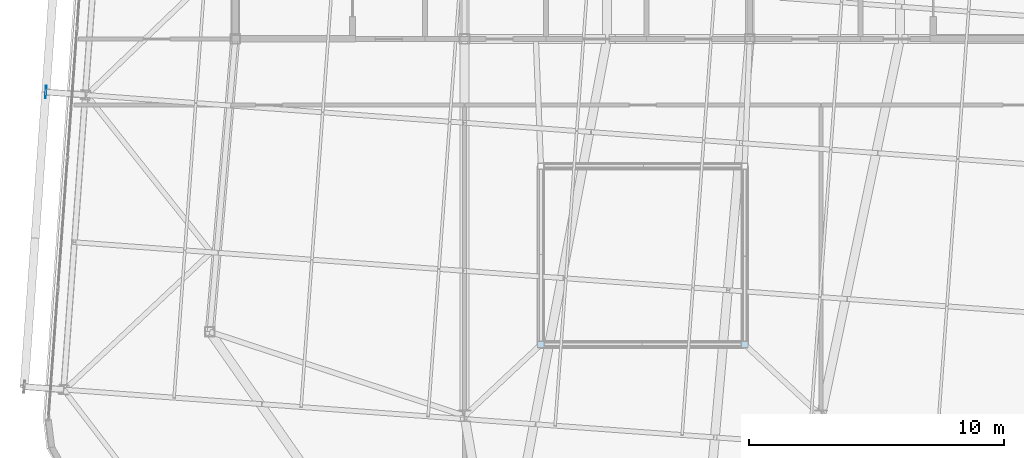
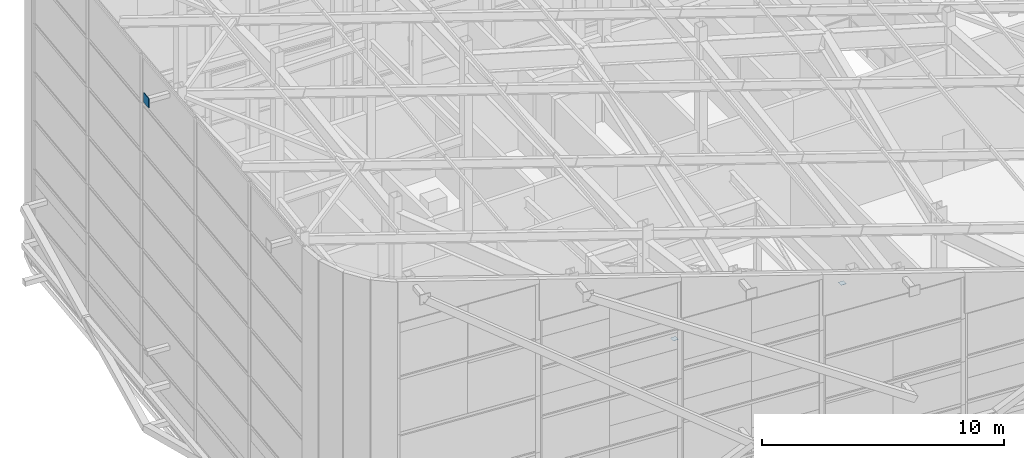
# One storey, part 41 of 56: 3 plates.
"""IFC4 building model written with IfcOpenShell, lengths in metres."""

from ifc_helpers import new_model, si_unit, direction, frame, origin, origin_2d, place, context, subcontext, project, spatial, rectangle, extrude, source, transform, mapped, material, layer, layer_set, type_object, element, save


model = new_model("IFC4")

# Units and contexts
model_context = context("Model", 3, precision=1e-05, world=origin(), true_north=direction((0.0, 1.0)))
body_context = subcontext(model_context, "Body", "Model", "MODEL_VIEW")
ifc_project = project(units=[si_unit("LENGTHUNIT", "METRE"), si_unit("AREAUNIT", "SQUARE_METRE"), si_unit("VOLUMEUNIT", "CUBIC_METRE"), si_unit("PLANEANGLEUNIT", "RADIAN"), si_unit("MASSUNIT", "GRAM", prefix="KILO")], contexts=[model_context])

# Site, building, storey
site_placement = place(None, origin())
site = spatial("IfcSite", under=ifc_project, at=site_placement, CompositionType="ELEMENT")
building_placement = place(site_placement, origin())
building = spatial("IfcBuilding", under=site, at=building_placement, Name="Taldren Reach Tower", CompositionType="ELEMENT")
storey_placement = place(building_placement, frame((0.0, 0.0, 253.050048828125)))
storey = spatial("IfcBuildingStorey", under=building, at=storey_placement, Name="L77", CompositionType="ELEMENT", Elevation=253.050048828125)

# Plates
ifc_material_1 = material(Name="Steel Gr 450 (C450L0)", Category="steel")
ifc_layer_1 = layer(ifc_material_1, 0.031982421875)
ifc_layer_set_1 = layer_set([ifc_layer_1], Name="Steel Gr 450 (C450L0)")
plate_type_1 = type_object("IfcPlateType", Name="PL-GUSSET-32", PredefinedType="SHEET", material=ifc_layer_set_1)
shared_shape_1 = source(origin(), body_context, "Body", "SweptSolid", [
    extrude(rectangle(XDim=0.47998046875, YDim=0.031982421875, at=origin_2d()), origin(), (0.0, 0.0, 1.0), 0.47998046875),
])
plate_placement = place(storey_placement, frame((11.562744140625, 21.913818359375, 16.4736328125), z_axis=(0.0, 0.0, 1.0), x_axis=(0.073238197128, 0.997314477224, 0.0)))
element("IfcPlate", 1, at=plate_placement, inside=storey, type_object=plate_type_1, Name="Exoskeleton star-node gusset plate B5-W2 L77", PredefinedType="SHEET", context=body_context, shape_type="MappedRepresentation", body=[
    mapped(shared_shape_1, transform((0.0, 0.0, 0.0), scale=1.0)),
])
ifc_material_2 = material(Name="Steel Gr 350 (C350L0)", Category="steel")
ifc_layer_2 = layer(ifc_material_2, 0.011962890625)
ifc_layer_set_2 = layer_set([ifc_layer_2], Name="Steel Gr 350 (C350L0)")
plate_type_2 = type_object("IfcPlateType", Name="PL-CAP-250", PredefinedType="SHEET", material=ifc_layer_set_2)
shared_shape_2 = source(origin(), body_context, "Body", "SweptSolid", [
    extrude(rectangle(XDim=0.25, YDim=0.25, at=origin_2d()), origin(), (0.0, 0.0, 1.0), 0.011962890625),
])
for number, where, z_axis, x_axis, name in (
    (2, (31.0, 12.0, 3.89990234375), (0.0, 0.0, 1.0), (1.0, 0.0, 0.0), "Tuned mass damper gantry post end cap plate TMD-P1"),
    (3, (39.0, 12.0, 3.89990234375), (0.0, 0.0, 1.0), (1.0, 0.0, 0.0), "Tuned mass damper gantry post end cap plate TMD-P2"),
):
    element("IfcPlate", number, at=place(storey_placement, frame(where, z_axis=z_axis, x_axis=x_axis)), inside=storey, type_object=plate_type_2, Name=name, PredefinedType="SHEET", context=body_context, shape_type="MappedRepresentation", body=[
        mapped(shared_shape_2, transform((0.0, 0.0, 0.0), scale=1.0)),
    ])

save(model, "model.ifc")
